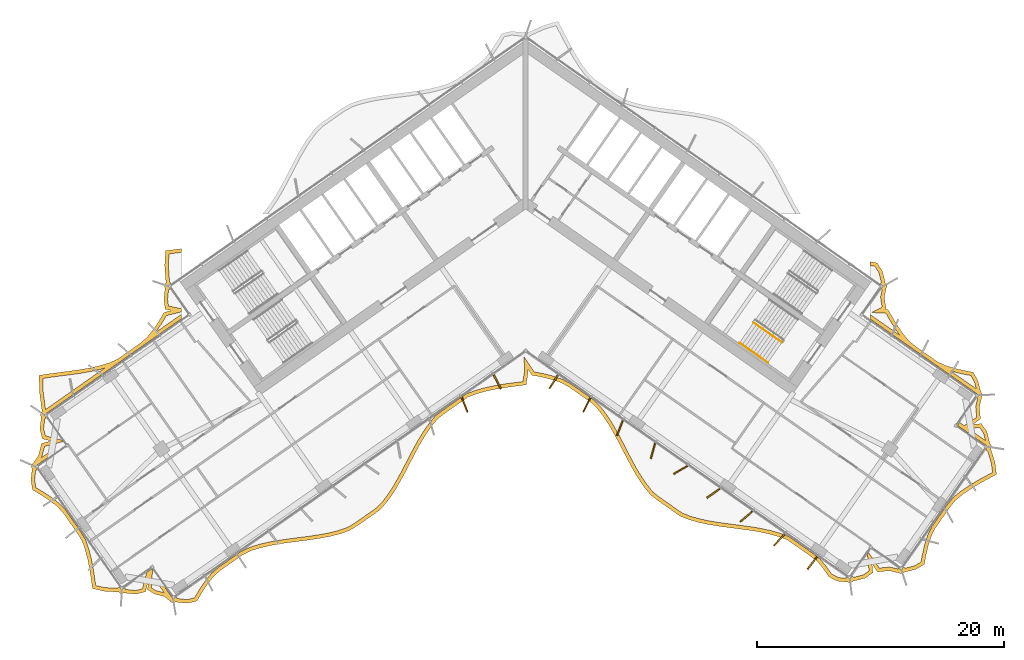
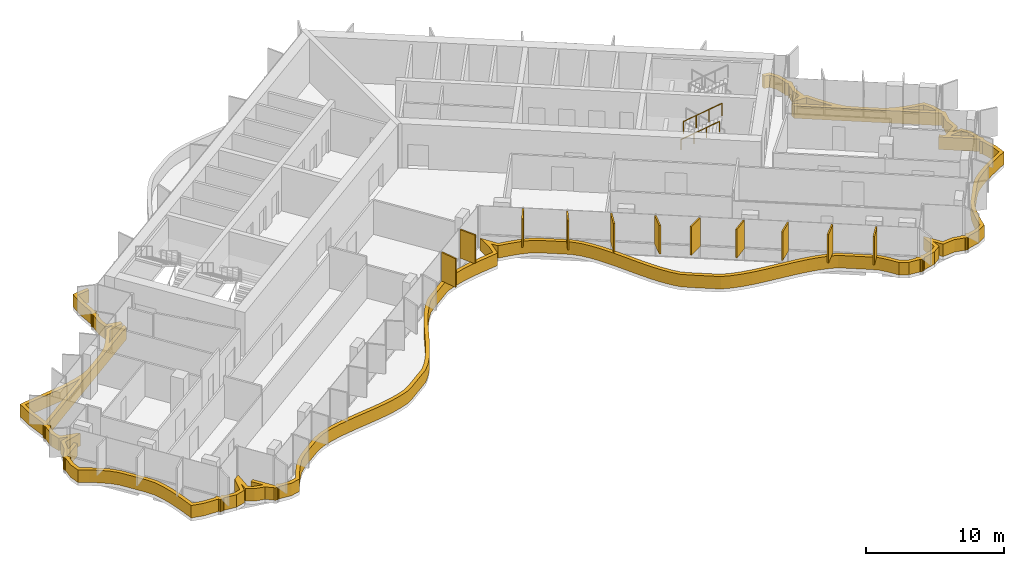
# One storey, part 19 of 21: 12 shading devices, 2 railings.
"""IFC4 building model written with IfcOpenShell, lengths in metres."""

from ifc_helpers import new_model, si_unit, direction, frame, origin, origin_2d, place, context, subcontext, project, spatial, polyline, rectangle, circle, outline, extrude, material, layer, layer_set, type_object, element, save


model = new_model("IFC4")

# Units and contexts
model_context = context("Model", 3, precision=1e-05, world=origin(), true_north=direction((0.0, 1.0)))
body_context = subcontext(model_context, "Body", "Model", "MODEL_VIEW")
ifc_project = project(units=[si_unit("LENGTHUNIT", "METRE"), si_unit("AREAUNIT", "SQUARE_METRE"), si_unit("VOLUMEUNIT", "CUBIC_METRE"), si_unit("PLANEANGLEUNIT", "RADIAN"), si_unit("MASSUNIT", "GRAM", prefix="KILO")], contexts=[model_context])

# Site, building, storey
site_placement = place(None, origin())
site = spatial("IfcSite", under=ifc_project, at=site_placement, CompositionType="ELEMENT")
building_placement = place(site_placement, origin())
building = spatial("IfcBuilding", under=site, at=building_placement, Name="Tel Ilan Convention Tower", CompositionType="ELEMENT")
storey_placement = place(building_placement, frame((0.0, 0.0, 159.300048828125)))
storey = spatial("IfcBuildingStorey", under=building, at=storey_placement, Name="L36", CompositionType="ELEMENT", Elevation=159.300048828125)

# Shading devices
ifc_material_1 = material(Name="Aluminium, bronze anodised", Category="aluminium")
ifc_layer_1 = layer(ifc_material_1, 0.1201171875)
ifc_layer_set_1 = layer_set([ifc_layer_1], Name="FIN BRONZE 1300x120")
shading_device_type_1 = type_object("IfcShadingDeviceType", Name="FIN BRONZE 1300x120", PredefinedType="USERDEFINED", material=ifc_layer_set_1)
for number, where, z_axis, x_axis, name in (
    (1, (-4.947998046875, -17.070068359375, 1.099853515625), (0.0, 0.0, 1.0), (0.360177724803, -0.932883704733, 0.0), "FIN"),
    (2, (-2.298583984375, -15.222900390625, 1.099853515625), (0.0, 0.0, 1.0), (0.448799180206, -0.893632640321, 0.0), "FIN"),
    (3, (2.27734375, -15.208251953125, 1.099853515625), (0.0, 0.0, 1.0), (-0.533204432798, -0.845986425922, 0.0), "FIN"),
    (4, (4.9541015625, -17.08203125, 1.099853515625), (0.0, 0.0, 1.0), (-0.448799180206, -0.893632640321, 0.0), "FIN"),
    (5, (7.633544921875, -18.950439453125, 1.099853515625), (0.0, 0.0, 1.0), (-0.360177724803, -0.932883704733, 0.0), "FIN"),
    (6, (10.3154296875, -20.81298828125, 1.099853515625), (0.0, 0.0, 1.0), (-0.268172612768, -0.963370878614, 0.0), "FIN"),
    (7, (12.548828125, -22.3544921875, 1.099853515625), (0.0, 0.0, 1.0), (-0.866025403784, -0.5, 0.0), "FIN"),
    (8, (15.211181640625, -24.2412109375, 1.099853515625), (0.0, 0.0, 1.0), (-0.813552070258, -0.581492071294, 0.0), "FIN"),
    (9, (17.878662109375, -26.124267578125, 1.099853515625), (0.0, 0.0, 1.0), (-0.753435896329, -0.657521368568, 0.0), "FIN"),
    (10, (20.55078125, -28.003173828125, 1.099853515625), (0.0, 0.0, 1.0), (-0.686241637865, -0.727373641577, 0.0), "FIN"),
    (11, (23.227294921875, -29.87744140625, 1.099853515625), (0.0, 0.0, 1.0), (-0.612600545196, -0.790392669516, 0.0), "FIN"),
):
    element("IfcShadingDevice", number, at=place(storey_placement, frame(where, z_axis=z_axis, x_axis=x_axis)), inside=storey, type_object=shading_device_type_1, Name=name, ObjectType="FIN", PredefinedType="USERDEFINED", context=body_context, shape_type="SweptSolid", body=[
        extrude(rectangle(XDim=1.300048828125, YDim=0.1201171875, at=origin_2d()), origin(), (0.0, 0.0, 1.0), 2.52001953125),
    ])
ifc_material_2 = material(Name="Aluminium, bronze anodised", Category="aluminium")
ifc_layer_2 = layer(ifc_material_2, 0.300048828125)
ifc_layer_set_2 = layer_set([ifc_layer_2], Name="LOUVRE BAND 300x1100")
shading_device_type_2 = type_object("IfcShadingDeviceType", Name="LOUVRE BAND 300x1100", PredefinedType="USERDEFINED", material=ifc_layer_set_2)
shading_device_placement = place(storey_placement, origin())
element("IfcShadingDevice", 12, at=shading_device_placement, inside=storey, type_object=shading_device_type_2, Name="LOUVRE BAND 28.01", ObjectType="LOUVRE", PredefinedType="USERDEFINED", context=body_context, shape_type="SweptSolid", body=[
    extrude(outline(polyline([(-40.0625, -23.190673828125), (-39.92822265625, -23.97265625), (-39.250732421875, -24.374267578125), (-38.60546875, -24.798583984375), (-38.006591796875, -25.25537109375), (-37.49755859375, -25.77490234375), (-36.2626953125, -27.53857421875), (-35.8984375, -28.15966796875), (-35.6572265625, -28.86669921875), (-35.46484375, -29.608154296875), (-35.312744140625, -30.377685546875), (-35.189697265625, -31.167724609375), (-35.07666015625, -31.964599609375), (-34.1298828125, -32.177734375), (-32.96484375, -32.238037109375), (-32.93603515625, -32.281494140625), (-32.838623046875, -32.346435546875), (-32.723876953125, -32.369384765625), (-32.609130859375, -32.346435546875), (-32.554931640625, -32.310302734375), (-31.562744140625, -32.420166015625), (-30.788818359375, -32.2177734375), (-30.573974609375, -31.399658203125), (-30.615234375, -32.057861328125), (-30.059814453125, -32.4013671875), (-29.2880859375, -32.593505859375), (-28.79150390625, -32.97802734375), (-28.786865234375, -32.974853515625), (-28.7578125, -33.01806640625), (-28.660400390625, -33.083251953125), (-28.545654296875, -33.10595703125), (-28.430908203125, -33.083251953125), (-28.376953125, -33.047119140625), (-27.396728515625, -33.154296875), (-26.6201171875, -32.970703125), (-26.2060546875, -32.269287109375), (-25.76416015625, -31.607666015625), (-25.286865234375, -30.996826171875), (-24.7294921875, -30.500244140625), (-22.907470703125, -29.224365234375), (-22.2314453125, -28.89697265625), (-21.48779296875, -28.666259765625), (-20.7099609375, -28.484619140625), (-19.905029296875, -28.34130859375), (-19.08251953125, -28.2236328125), (-17.421875, -28.009765625), (-16.60400390625, -27.885009765625), (-15.80712890625, -27.73046875), (-15.039794921875, -27.533935546875), (-14.308837890625, -27.284912109375), (-13.6689453125, -26.906005859375), (-11.846923828125, -25.63037109375), (-11.327880859375, -25.078857421875), (-10.86279296875, -24.4501953125), (-10.43115234375, -23.7744140625), (-10.024658203125, -23.06201171875), (-9.634765625, -22.326171875), (-8.864990234375, -20.84033203125), (-8.46533203125, -20.118408203125), (-8.043212890625, -19.428466796875), (-7.59033203125, -18.782470703125), (-7.10009765625, -18.190185546875), (-6.5087890625, -17.741943359375), (-4.686767578125, -16.466064453125), (-3.97021484375, -16.19677734375), (-3.214599609375, -15.983154296875), (-2.427001953125, -15.8154296875), (-1.615234375, -15.681884765625), (0.04248046875, -15.464111328125), (0.2060546875, -14.405029296875), (0.201416015625, -14.22314453125), (0.51220703125, -14.685546875), (1.31689453125, -14.835693359375), (2.093017578125, -15.0263671875), (2.833251953125, -15.268798828125), (3.490966796875, -15.62890625), (5.322509765625, -16.9111328125), (5.858154296875, -17.445556640625), (6.329833984375, -18.071533203125), (6.76708984375, -18.74658203125), (7.177734375, -19.45947265625), (7.57080078125, -20.197509765625), (8.343994140625, -21.69189453125), (8.744384765625, -22.41943359375), (9.166748046875, -23.11572265625), (9.61962890625, -23.768310546875), (10.110107421875, -24.3671875), (10.698486328125, -24.826171875), (12.530029296875, -26.108642578125), (13.245361328125, -26.386474609375), (14.003662109375, -26.602783203125), (14.794677734375, -26.7724609375), (15.610107421875, -26.9072265625), (18.10791015625, -27.238525390625), (18.924072265625, -27.3720703125), (19.716064453125, -27.54052734375), (20.475830078125, -27.7548828125), (21.19580078125, -28.02587890625), (23.02734375, -29.308349609375), (23.619384765625, -29.76220703125), (24.111328125, -30.35888671875), (24.565673828125, -31.009765625), (25.2314453125, -31.358154296875), (26.083251953125, -31.441162109375), (26.13720703125, -31.47705078125), (26.251953125, -31.5), (26.366943359375, -31.47705078125), (26.464111328125, -31.412109375), (26.4931640625, -31.368896484375), (27.463134765625, -31.132568359375), (28.12109375, -30.677734375), (28.056396484375, -29.976806640625), (28.4951171875, -30.611572265625), (29.47412109375, -30.52099609375), (30.258056640625, -30.708984375), (30.261474609375, -30.704345703125), (30.3154296875, -30.740478515625), (30.43017578125, -30.76318359375), (30.544921875, -30.740478515625), (30.642333984375, -30.67529296875), (30.67138671875, -30.632080078125), (31.5947265625, -30.402587890625), (32.283447265625, -30.0087890625), (32.42919921875, -29.234619140625), (32.607177734375, -28.483154296875), (32.83154296875, -27.764404296875), (33.145751953125, -27.108154296875), (34.380615234375, -25.344482421875), (34.83984375, -24.7900390625), (35.421630859375, -24.3212890625), (36.052734375, -23.88720703125), (36.7236328125, -23.48095703125), (37.423828125, -23.09521484375), (38.134033203125, -22.71630859375), (38.010498046875, -21.753662109375), (37.6689453125, -20.638427734375), (37.705078125, -20.58447265625), (37.727783203125, -20.4697265625), (37.705078125, -20.354736328125), (37.639892578125, -20.257568359375), (37.5966796875, -20.228515625), (37.3603515625, -19.258544921875), (36.905517578125, -18.6005859375), (36.20458984375, -18.665283203125), (36.839599609375, -18.2265625), (36.748779296875, -17.24755859375), (36.936767578125, -16.463623046875), (36.93212890625, -16.460205078125), (36.96826171875, -16.40625), (36.9912109375, -16.29150390625), (36.96826171875, -16.1767578125), (36.9033203125, -16.079345703125), (36.85986328125, -16.05029296875), (36.63134765625, -15.134521484375), (36.246826171875, -14.44140625), (35.47900390625, -14.2958984375), (34.732177734375, -14.1201171875), (34.017333984375, -13.899169921875), (33.361328125, -13.59375), (31.6103515625, -12.36767578125), (31.052978515625, -11.921630859375), (30.5849609375, -11.347900390625), (30.151123046875, -10.72509765625), (29.74560546875, -10.06201171875), (29.356201171875, -9.3759765625), (29.132080078125, -9.36474609375), (29.19384765625, -9.332763671875), (29.044921875, -8.373779296875), (29.20458984375, -7.631103515625), (29.199951171875, -7.6279296875), (29.236083984375, -7.57373046875), (29.2587890625, -7.458984375), (29.236083984375, -7.34423828125), (29.1708984375, -7.246826171875), (29.127685546875, -7.218017578125), (28.894287109375, -6.267333984375), (28.465576171875, -5.595458984375), (27.874755859375, -5.485595703125), (27.874755859375, -5.790771484375), (28.28271484375, -5.86669921875), (28.614990234375, -6.387451171875), (28.806640625, -7.1533203125), (28.713134765625, -7.286865234375), (28.958740234375, -7.458984375), (28.787353515625, -7.705322265625), (28.869384765625, -7.7626953125), (28.73974609375, -8.364990234375), (28.8642578125, -9.165283203125), (28.0048828125, -9.60888671875), (29.1767578125, -9.66748046875), (29.4873046875, -10.21435546875), (29.89990234375, -10.88916015625), (30.281494140625, -11.43701171875), (27.874755859375, -9.751953125), (27.874755859375, -10.1181640625), (36.691162109375, -16.29150390625), (36.51904296875, -16.537109375), (36.597412109375, -16.592041015625), (36.445556640625, -17.225830078125), (36.524658203125, -18.07958984375), (35.524658203125, -18.770751953125), (35.142578125, -18.503173828125), (34.970458984375, -18.748779296875), (37.427734375, -20.4697265625), (37.255859375, -20.71533203125), (37.41650390625, -20.827880859375), (37.716064453125, -21.816650390625), (37.810302734375, -22.549072265625), (36.573486328125, -23.22119140625), (35.889892578125, -23.635009765625), (35.2421875, -24.08056640625), (34.6279296875, -24.575439453125), (34.141845703125, -25.16259765625), (32.8857421875, -26.956298828125), (32.551513671875, -27.654296875), (32.317626953125, -28.40380859375), (32.1357421875, -29.17236328125), (32.014404296875, -29.817138671875), (31.481201171875, -30.121826171875), (30.7353515625, -30.310791015625), (30.602294921875, -30.217529296875), (30.43017578125, -30.46337890625), (30.18408203125, -30.291748046875), (30.129638671875, -30.36962890625), (29.495849609375, -30.2177734375), (28.64208984375, -30.296875), (27.76904296875, -29.03369140625), (27.679443359375, -29.161376953125), (27.806396484375, -30.530517578125), (27.337646484375, -30.8544921875), (26.55810546875, -31.048095703125), (26.424072265625, -30.954345703125), (26.251953125, -31.199951171875), (26.005859375, -31.028564453125), (25.935302734375, -31.129150390625), (25.319580078125, -31.065673828125), (24.76953125, -30.77783203125), (24.3505859375, -30.177490234375), (23.8291015625, -29.544921875), (23.204833984375, -29.06640625), (21.3369140625, -27.758544921875), (20.569580078125, -27.469482421875), (19.7880859375, -27.2490234375), (18.9794921875, -27.077392578125), (18.15234375, -26.941650390625), (15.65478515625, -26.610595703125), (14.8505859375, -26.477783203125), (14.076416015625, -26.3115234375), (13.341064453125, -26.101806640625), (12.67236328125, -25.842041015625), (10.876953125, -24.5849609375), (10.321044921875, -24.1513671875), (9.859375, -23.58740234375), (9.41845703125, -22.9521484375), (9.004150390625, -22.269287109375), (8.608642578125, -21.55029296875), (7.83642578125, -20.058349609375), (7.440185546875, -19.31396484375), (7.02294921875, -18.590087890625), (6.575927734375, -17.8994140625), (6.085205078125, -17.248046875), (5.515869140625, -16.680419921875), (3.649658203125, -15.37353515625), (2.953125, -14.9921875), (2.17578125, -14.73779296875), (1.380126953125, -14.542236328125), (0.69091796875, -14.41357421875), (-0.12451171875, -13.200439453125), (-0.0947265625, -14.3857421875), (-0.219482421875, -15.19482421875), (-1.659912109375, -15.38525390625), (-2.482666015625, -15.5205078125), (-3.286865234375, -15.691650390625), (-4.06396484375, -15.911376953125), (-4.827880859375, -16.198486328125), (-6.685546875, -17.49951171875), (-7.308837890625, -17.97216796875), (-7.8291015625, -18.6005859375), (-8.294189453125, -19.263916015625), (-8.724609375, -19.96728515625), (-9.12939453125, -20.6982421875), (-9.900634765625, -22.1875), (-10.28759765625, -22.91748046875), (-10.68798828125, -23.619140625), (-11.110107421875, -24.280029296875), (-11.55859375, -24.88623046875), (-12.044189453125, -25.40234375), (-13.831787109375, -26.65380859375), (-14.43505859375, -27.010986328125), (-15.12548828125, -27.24609375), (-15.873046875, -27.437744140625), (-16.6552734375, -27.58935546875), (-17.4638671875, -27.712646484375), (-19.12255859375, -27.92626953125), (-19.95263671875, -28.045166015625), (-20.770263671875, -28.190673828125), (-21.56640625, -28.376708984375), (-22.341796875, -28.6171875), (-23.059814453125, -28.96484375), (-24.916015625, -30.264404296875), (-25.506591796875, -30.790771484375), (-26.007568359375, -31.431884765625), (-26.460205078125, -32.109619140625), (-26.8134765625, -32.708251953125), (-27.416015625, -32.8505859375), (-28.206298828125, -32.767578125), (-28.2998046875, -32.634033203125), (-28.545654296875, -32.805908203125), (-29.57861328125, -31.3310546875), (-29.82421875, -31.5029296875), (-29.27490234375, -32.28759765625), (-29.94189453125, -32.12158203125), (-30.3046875, -31.897216796875), (-30.21240234375, -30.42578125), (-30.266357421875, -30.3486328125), (-30.685302734375, -30.641845703125), (-31.034423828125, -31.971923828125), (-31.58544921875, -32.115966796875), (-32.38427734375, -32.03125), (-32.4775390625, -31.89794921875), (-32.723876953125, -32.0693359375), (-32.89599609375, -31.823486328125), (-33.056640625, -31.93603515625), (-34.08837890625, -31.87939453125), (-34.80859375, -31.71728515625), (-35.017333984375, -30.325439453125), (-35.17236328125, -29.54150390625), (-35.36962890625, -28.780517578125), (-35.624267578125, -28.033935546875), (-36.010009765625, -27.376220703125), (-37.265869140625, -25.58251953125), (-37.807373046875, -25.02978515625), (-38.431884765625, -24.5537109375), (-39.091796875, -24.119873046875), (-39.656005859375, -23.78515625), (-39.760009765625, -23.18017578125), (-39.6826171875, -22.41455078125), (-39.54931640625, -22.3212890625), (-39.721435546875, -22.07568359375), (-38.288330078125, -21.072021484375), (-38.460205078125, -20.826416015625), (-39.223388671875, -21.360595703125), (-39.171142578125, -21.28173828125), (-38.953369140625, -20.452392578125), (-37.4677734375, -20.06396484375), (-37.557373046875, -19.93603515625), (-38.88720703125, -19.5869140625), (-39.031494140625, -19.035888671875), (-38.946533203125, -18.237060546875), (-38.812744140625, -18.143310546875), (-38.98486328125, -17.8974609375), (-27.874755859375, -10.1181640625), (-27.874755859375, -9.751953125), (-29.952392578125, -11.20654296875), (-29.906005859375, -11.14794921875), (-29.44873046875, -10.4658203125), (-29.09033203125, -9.859375), (-27.874755859375, -9.551025390625), (-27.874755859375, -9.287353515625), (-28.923828125, -9.080322265625), (-28.992431640625, -8.5439453125), (-28.91943359375, -7.797607421875), (-28.787353515625, -7.705322265625), (-28.958740234375, -7.458984375), (-28.713134765625, -7.286865234375), (-28.83740234375, -7.109375), (-28.93115234375, -5.783447265625), (-28.876953125, -4.86572265625), (-27.874755859375, -4.735107421875), (-27.874755859375, -4.4326171875), (-29.161865234375, -4.60107421875), (-29.231689453125, -5.78515625), (-29.127685546875, -7.218017578125), (-29.1708984375, -7.246826171875), (-29.236083984375, -7.34423828125), (-29.2587890625, -7.458984375), (-29.236083984375, -7.57373046875), (-29.199951171875, -7.6279296875), (-29.29443359375, -8.548583984375), (-29.19384765625, -9.332763671875), (-28.654541015625, -9.439208984375), (-29.284912109375, -9.59912109375), (-29.70263671875, -10.305908203125), (-30.14892578125, -10.971435546875), (-30.631591796875, -11.5849609375), (-31.197998046875, -12.078857421875), (-33.03466796875, -13.364990234375), (-33.72509765625, -13.68212890625), (-34.477783203125, -13.91015625), (-35.2646484375, -14.089111328125), (-36.078125, -14.23046875), (-36.90869140625, -14.34716796875), (-38.58203125, -14.563720703125), (-39.404052734375, -14.692626953125), (-39.369873046875, -16.044677734375), (-39.153564453125, -17.656494140625), (-39.19677734375, -17.685302734375), (-39.261962890625, -17.78271484375), (-39.28466796875, -17.8974609375), (-39.261962890625, -18.01220703125), (-39.225830078125, -18.066162109375), (-39.33544921875, -19.05859375), (-39.133056640625, -19.83251953125), (-38.452392578125, -20.01123046875), (-39.19921875, -20.20654296875), (-39.44873046875, -21.157470703125), (-39.8935546875, -21.829833984375), (-39.890380859375, -21.83447265625), (-39.93359375, -21.863525390625), (-39.99853515625, -21.9609375), (-40.021484375, -22.07568359375), (-39.99853515625, -22.1904296875), (-39.962646484375, -22.244384765625), (-40.0625, -23.190673828125)]), holes=[polyline([(36.758544921875, -18.915283203125), (37.082275390625, -19.384033203125), (37.225830078125, -19.9619140625), (35.85107421875, -18.999267578125), (36.758544921875, -18.915283203125)]), polyline([(34.4267578125, -14.33984375), (34.653564453125, -14.409912109375), (35.416748046875, -14.58935546875), (36.052734375, -14.7099609375), (36.35009765625, -15.24609375), (36.486572265625, -15.781982421875), (34.4267578125, -14.33984375)]), polyline([(-35.205810546875, -14.383544921875), (-34.40087890625, -14.200439453125), (-34.095703125, -14.10791015625), (-38.8798828125, -17.457763671875), (-39.0703125, -16.02099609375), (-39.097412109375, -14.9482421875), (-38.5390625, -14.860595703125), (-36.869140625, -14.64453125), (-36.031494140625, -14.52685546875), (-35.205810546875, -14.383544921875)])]), origin(), (0.0, 0.0, 1.0), 1.099853515625),
])

# Railings
ifc_material_3 = material(Name="Stainless Steel Grade 316", Category="steel")
railing_type_1 = type_object("IfcRailingType", Name="Stainless Steel Stair Guard 1100 mm", PredefinedType="GUARDRAIL", material=ifc_material_3)
railing_1_placement = place(storey_placement, frame((18.4599609375, -10.423095703125, 2.127197265625)))
element("IfcRailing", 13, at=railing_1_placement, inside=storey, type_object=railing_type_1, Name="L36 S4 stair guard 3", PredefinedType="GUARDRAIL", context=body_context, shape_type="SweptSolid", body=[
    extrude(circle(Radius=0.02392578125, at=origin_2d()), frame((0.0, 0.0, 1.076171875), z_axis=(0.692098378994, -0.484653031975, 0.534893701956), x_axis=(0.573608623498, 0.819129505664, 0.0)), (0.0, 0.0, 1.0), 3.314208984375),
    extrude(circle(Radius=0.02099609375, at=origin_2d()), origin(), (0.0, 0.0, 1.0), 1.052001953125),
    extrude(circle(Radius=0.02099609375, at=origin_2d()), frame((0.7646484375, -0.535400390625, 0.5908203125)), (0.0, 0.0, 1.0), 1.052001953125),
    extrude(circle(Radius=0.02099609375, at=origin_2d()), frame((1.529052734375, -1.07080078125, 1.181884765625)), (0.0, 0.0, 1.0), 1.052001953125),
    extrude(circle(Radius=0.02099609375, at=origin_2d()), frame((2.293701171875, -1.606201171875, 1.772705078125)), (0.0, 0.0, 1.0), 1.052001953125),
])
ifc_material_4 = material(Name="Stainless Steel Grade 316", Category="steel")
railing_type_2 = type_object("IfcRailingType", Name="Stainless Steel Stair Handrail 900 mm", PredefinedType="HANDRAIL", material=ifc_material_4)
railing_2_placement = place(storey_placement, frame((17.312744140625, -12.0615234375, 2.127197265625)))
element("IfcRailing", 14, at=railing_2_placement, inside=storey, type_object=railing_type_2, Name="L36 S4 stair handrail 2", PredefinedType="HANDRAIL", context=body_context, shape_type="SweptSolid", body=[
    extrude(circle(Radius=0.02392578125, at=origin_2d()), frame((0.0, 0.0, 0.8759765625), z_axis=(0.692123088272, -0.484596665743, 0.534912798717), x_axis=(0.573550118428, 0.819170471667, 0.0)), (0.0, 0.0, 1.0), 3.31396484375),
    extrude(circle(Radius=0.02099609375, at=origin_2d()), origin(), (0.0, 0.0, 1.0), 0.851806640625),
    extrude(circle(Radius=0.02099609375, at=origin_2d()), frame((0.7646484375, -0.535400390625, 0.5908203125)), (0.0, 0.0, 1.0), 0.851806640625),
    extrude(circle(Radius=0.02099609375, at=origin_2d()), frame((1.529052734375, -1.070556640625, 1.181884765625)), (0.0, 0.0, 1.0), 0.851806640625),
    extrude(circle(Radius=0.02099609375, at=origin_2d()), frame((2.293701171875, -1.60595703125, 1.772705078125)), (0.0, 0.0, 1.0), 0.851806640625),
])

save(model, "model.ifc")
